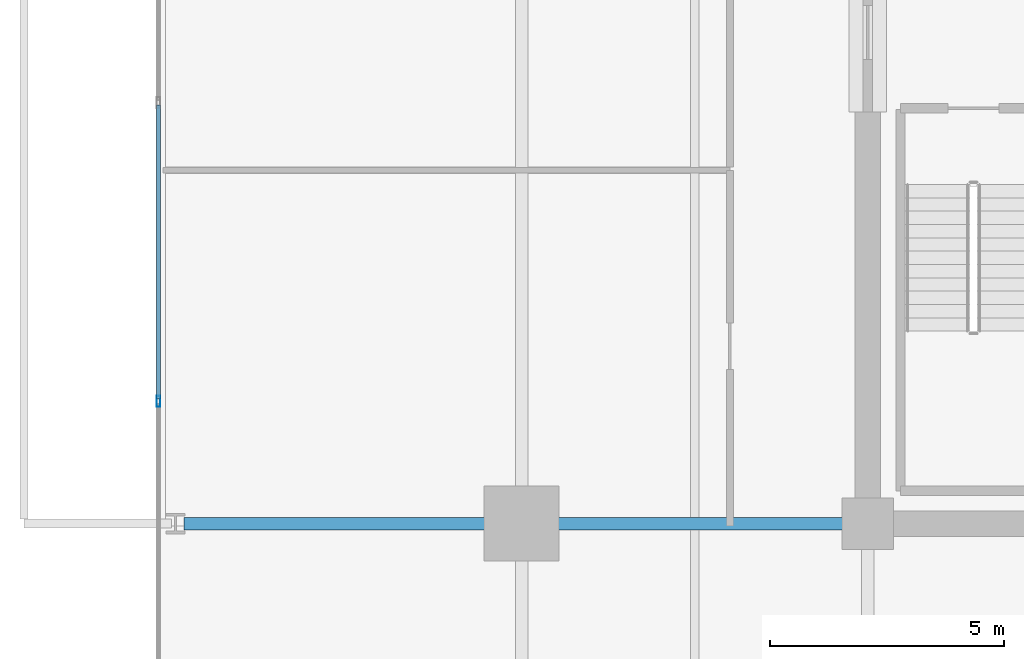
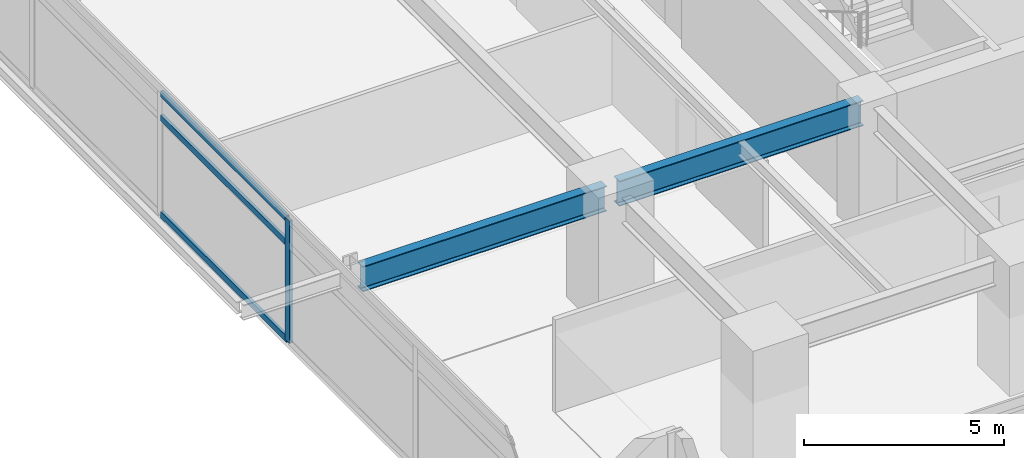
# One storey, part 6 of 24: 4 members, 2 beams, 1 element without a shape of its own.
"""IFC4 building model written with IfcOpenShell, lengths in metres."""

from ifc_helpers import new_model, si_unit, direction, frame, origin, origin_2d, place, context, subcontext, project, spatial, hollow_rectangle, i_section, extrude, material, material_profile, profile_set, type_object, element, aggregate, save


model = new_model("IFC4")

# Units and contexts
model_context = context("Model", 3, precision=1e-05, world=origin(), true_north=direction((0.0, 1.0)))
body_context = subcontext(model_context, "Body", "Model", "MODEL_VIEW")
ifc_project = project(units=[si_unit("LENGTHUNIT", "METRE"), si_unit("AREAUNIT", "SQUARE_METRE"), si_unit("VOLUMEUNIT", "CUBIC_METRE"), si_unit("PLANEANGLEUNIT", "RADIAN"), si_unit("MASSUNIT", "GRAM", prefix="KILO")], contexts=[model_context])

# Site, building, storey
site_placement = place(None, origin())
site = spatial("IfcSite", under=ifc_project, at=site_placement, CompositionType="ELEMENT")
building_placement = place(site_placement, origin())
building = spatial("IfcBuilding", under=site, at=building_placement, Name="Kovane Verandah Tower", CompositionType="ELEMENT")
storey_placement = place(building_placement, frame((0.0, 0.0, 132.39990234375)))
storey = spatial("IfcBuildingStorey", under=building, at=storey_placement, Name="L30", CompositionType="ELEMENT", Elevation=132.39990234375)

# Beams
ifc_material_1 = material(Name="Steel S355", Category="steel")
ifc_material_profile_1 = material_profile(ifc_material_1, i_section(OverallWidth=0.26806640625, OverallDepth=0.769775390625, WebThickness=0.015625, FlangeThickness=0.025390625, FilletRadius=0.0166015625, at=origin_2d()), Name="UB762x267x197")
ifc_profile_set_1 = profile_set([ifc_material_profile_1], Name="Steel S355")
beam_type = type_object("IfcBeamType", Name="BM-UB762x197", PredefinedType="BEAM", material=ifc_profile_set_1)
for number, where, z_axis, x_axis, name in (
    (1, (28.820068359375, 18.5, 3.39013671875), (-1.0, 0.0, 0.0), (0.0, -1.0, 0.0), "L30 Primary Tower Girder G-W1"),
    (2, (21.419921875, 18.5, 3.375244140625), (-1.0, 0.0, 0.0), (0.0, -1.0, 0.0), "L30 Primary Tower Girder G-VW1"),
):
    element("IfcBeam", number, at=place(storey_placement, frame(where, z_axis=z_axis, x_axis=x_axis)), inside=storey, type_object=beam_type, Name=name, PredefinedType="BEAM", context=body_context, shape_type="SweptSolid", body=[
        extrude(i_section(OverallWidth=0.26806640625, OverallDepth=0.769775390625, WebThickness=0.015625, FlangeThickness=0.025390625, FilletRadius=0.0166015625, at=origin_2d()), origin(), (0.0, 0.0, 1.0), 7.0400390625),
    ])

# Curtain wall, members
ifc_material_2 = material(Name="Champagne Anodised Aluminium Frame with Low-E Clear Laminated Glass", Category="aluminium")
curtain_wall_type = type_object("IfcCurtainWallType", Name="CW-SYS-03-MID", PredefinedType="NOTDEFINED", material=ifc_material_2)
curtain_wall_placement = place(storey_placement, origin())
curtain_wall = element("IfcCurtainWall", 3, at=curtain_wall_placement, inside=storey, type_object=curtain_wall_type, Name="L30 W Unitised Curtain Wall", PredefinedType="NOTDEFINED")
ifc_material_3 = material(Name="Champagne Anodised Aluminium 6063-T6", Category="aluminium")
ifc_material_profile_2 = material_profile(ifc_material_3, hollow_rectangle(XDim=0.0849609375, YDim=0.22998046875, WallThickness=0.00390625, at=origin_2d()), Name="AL85x230x4")
ifc_profile_set_2 = profile_set([ifc_material_profile_2], Name="Champagne Anodised Aluminium 6063-T6")
member_type_1 = type_object("IfcMemberType", Name="CW-MUL-85x230", PredefinedType="MULLION", material=ifc_profile_set_2)
member_1_placement = place(storey_placement, frame((13.837646484375, 21.115478515625, 0.02001953125), z_axis=(0.0, 0.0, 1.0), x_axis=(-1.0, 0.0, 0.0)))
member_1 = element("IfcMember", 4, at=member_1_placement, type_object=member_type_1, Name="L30 W Unitised Curtain Wall Mullion 5", PredefinedType="MULLION", context=body_context, shape_type="SweptSolid", body=[
    extrude(hollow_rectangle(XDim=0.0849609375, YDim=0.22998046875, WallThickness=0.00390625, at=origin_2d()), origin(), (0.0, 0.0, 1.0), 3.735107421875),
])
ifc_material_profile_3 = material_profile(ifc_material_3, hollow_rectangle(XDim=0.0849609375, YDim=0.18994140625, WallThickness=0.00390625, at=origin_2d()), Name="AL85x190x4")
ifc_profile_set_3 = profile_set([ifc_material_profile_3], Name="Champagne Anodised Aluminium 6063-T6")
member_type_2 = type_object("IfcMemberType", Name="CW-TRN-85x190", PredefinedType="USERDEFINED", material=ifc_profile_set_3)
member_2_placement = place(storey_placement, frame((13.837646484375, 27.449951171875, 0.050048828125), z_axis=(0.0, -1.0, 0.0), x_axis=(1.0, 0.0, 0.0)))
member_2 = element("IfcMember", 5, at=member_2_placement, type_object=member_type_2, Name="L30 W Unitised Curtain Wall Transom TB Bay 4", ObjectType="TRANSOM", PredefinedType="USERDEFINED", context=body_context, shape_type="SweptSolid", body=[
    extrude(hollow_rectangle(XDim=0.0849609375, YDim=0.18994140625, WallThickness=0.00390625, at=origin_2d()), origin(), (0.0, 0.0, 1.0), 6.28466796875),
])
member_3_placement = place(storey_placement, frame((13.837646484375, 27.449951171875, 2.9951171875), z_axis=(0.0, -1.0, 0.0), x_axis=(1.0, 0.0, 0.0)))
member_3 = element("IfcMember", 6, at=member_3_placement, type_object=member_type_2, Name="L30 W Unitised Curtain Wall Transom TM Bay 4", ObjectType="TRANSOM", PredefinedType="USERDEFINED", context=body_context, shape_type="SweptSolid", body=[
    extrude(hollow_rectangle(XDim=0.0849609375, YDim=0.18994140625, WallThickness=0.00390625, at=origin_2d()), origin(), (0.0, 0.0, 1.0), 6.28466796875),
])
member_4_placement = place(storey_placement, frame((13.837646484375, 27.449951171875, 3.72509765625), z_axis=(0.0, -1.0, 0.0), x_axis=(1.0, 0.0, 0.0)))
member_4 = element("IfcMember", 7, at=member_4_placement, type_object=member_type_2, Name="L30 W Unitised Curtain Wall Transom TT Bay 4", ObjectType="TRANSOM", PredefinedType="USERDEFINED", context=body_context, shape_type="SweptSolid", body=[
    extrude(hollow_rectangle(XDim=0.0849609375, YDim=0.18994140625, WallThickness=0.00390625, at=origin_2d()), origin(), (0.0, 0.0, 1.0), 6.28466796875),
])
aggregate(curtain_wall, [member_1, member_2, member_3, member_4])

save(model, "model.ifc")
